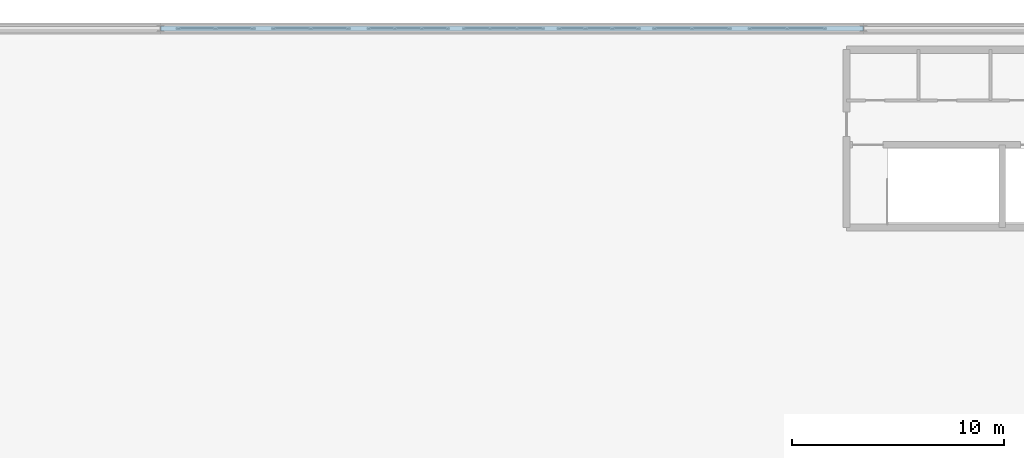
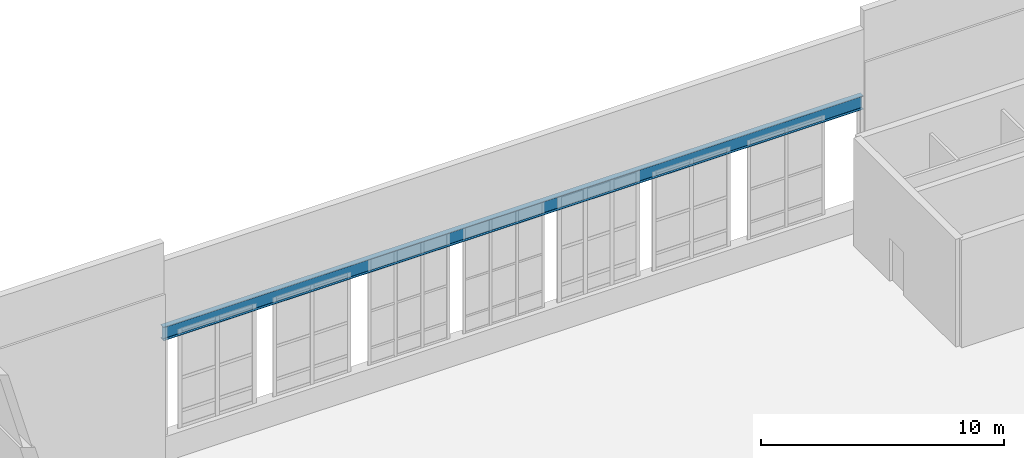
# One storey, part 66 of 97: 1 beam.
"""IFC4 building model written with IfcOpenShell, lengths in metres."""

from ifc_helpers import new_model, si_unit, derived_unit, direction, frame, origin, origin_2d, place, context, subcontext, project, spatial, i_section, extrude, material, material_profile, profile_set, type_object, element, save


model = new_model("IFC4")

# Units and contexts
model_context = context("Model", 3, precision=1e-05, world=origin(), true_north=direction((0.0, 1.0)))
body_context = subcontext(model_context, "Body", "Model", "MODEL_VIEW")
ifc_project = project(units=[si_unit("LENGTHUNIT", "METRE"), si_unit("AREAUNIT", "SQUARE_METRE"), si_unit("VOLUMEUNIT", "CUBIC_METRE"), si_unit("PLANEANGLEUNIT", "RADIAN"), si_unit("MASSUNIT", "GRAM", prefix="KILO"), derived_unit("THERMALTRANSMITTANCEUNIT", [(si_unit("POWERUNIT", "WATT"), 1), (si_unit("LENGTHUNIT", "METRE"), -2), (si_unit("THERMODYNAMICTEMPERATUREUNIT", "KELVIN"), -1)])], contexts=[model_context])

# Site, building, storey
site_placement = place(None, origin())
site = spatial("IfcSite", under=ifc_project, at=site_placement, CompositionType="ELEMENT")
building_placement = place(site_placement, origin())
building = spatial("IfcBuilding", under=site, at=building_placement, Name="Almenara Railside Exhibition Hall", CompositionType="ELEMENT")
storey_placement = place(building_placement, frame((0.0, 0.0, 10.800048828125)))
storey = spatial("IfcBuildingStorey", under=building, at=storey_placement, Name="L02", CompositionType="ELEMENT", Elevation=10.800048828125)

# Beam
ifc_material = material(Name="Structural steel S355JR", Category="steel")
ifc_material_profile = material_profile(ifc_material, i_section(OverallWidth=0.253662109375, OverallDepth=0.68359375, WebThickness=0.012451171875, FlangeThickness=0.01904296875, FilletRadius=0.01513671875, at=origin_2d()), Name="UB 686x254x140")
ifc_profile_set = profile_set([ifc_material_profile], Name="Structural steel S355JR")
beam_type = type_object("IfcBeamType", Name="Steel Heavy Deck Girder UB 686x254x140 S355JR", PredefinedType="USERDEFINED", material=ifc_profile_set)
beam_placement = place(storey_placement, frame((22.39990234375, 132.0, 6.307861328125), z_axis=(1.0, 0.0, 0.0), x_axis=(0.0, 1.0, 0.0)))
element("IfcBeam", 1, at=beam_placement, inside=storey, type_object=beam_type, Name="BM-CRNLNT-V1G2-132", ObjectType="GIRDER", PredefinedType="USERDEFINED", context=body_context, shape_type="SweptSolid", body=[
    extrude(i_section(OverallWidth=0.253662109375, OverallDepth=0.68359375, WebThickness=0.012451171875, FlangeThickness=0.01904296875, FilletRadius=0.01513671875, at=origin_2d()), origin(), (0.0, 0.0, 1.0), 33.2001953125),
])

save(model, "model.ifc")
